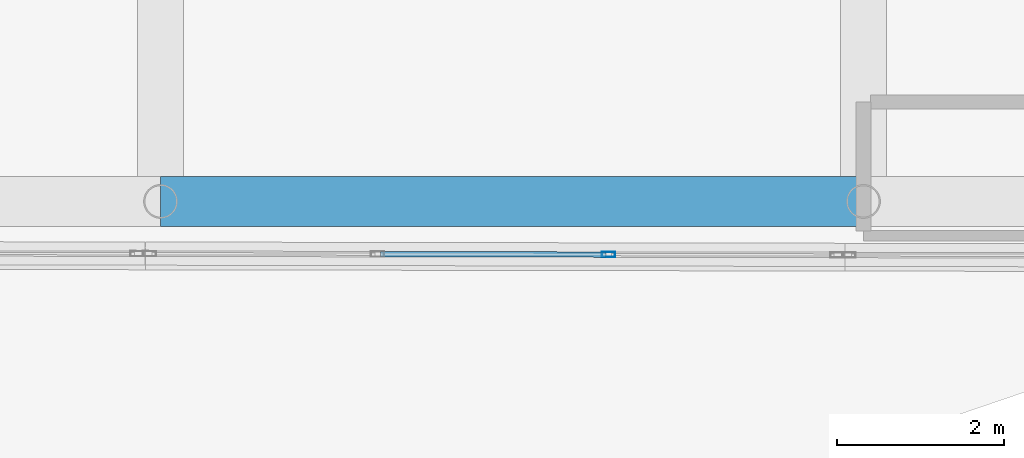
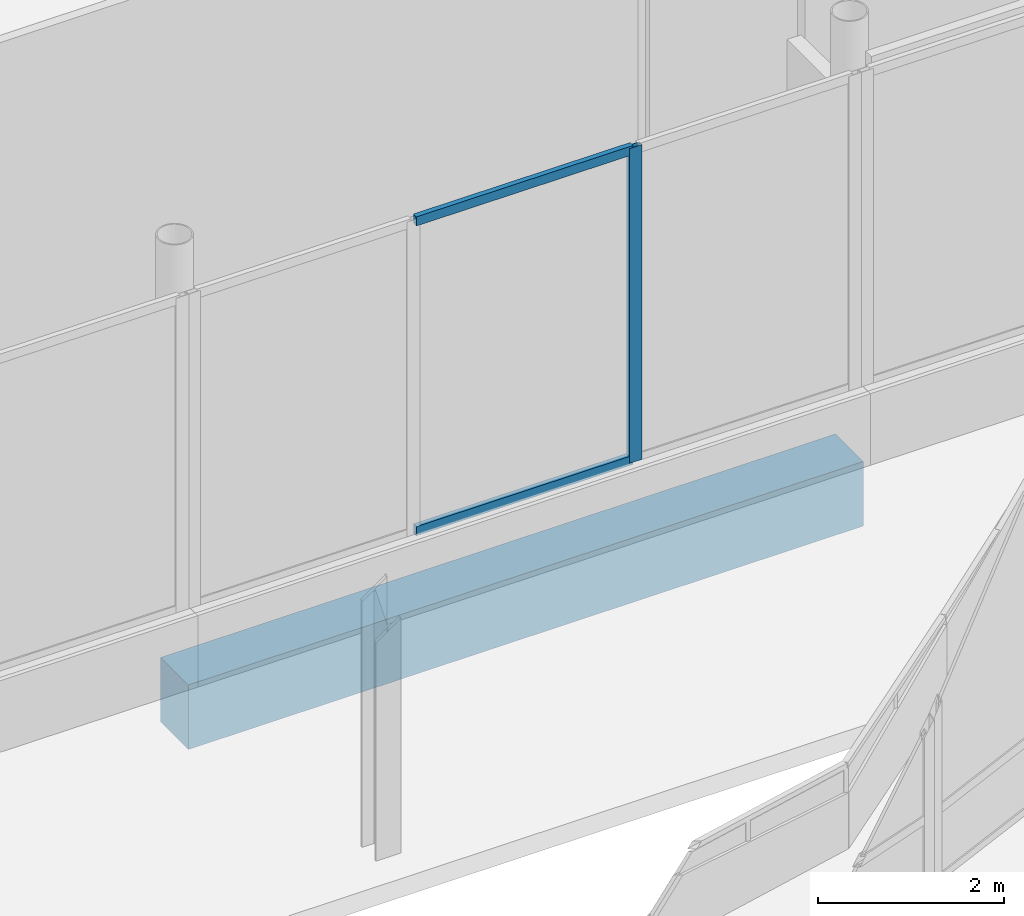
# One storey, part 41 of 158: 3 members, 1 beam, 1 element without a shape of its own.
"""IFC4 building model written with IfcOpenShell, lengths in metres."""

from ifc_helpers import new_model, si_unit, direction, frame, origin, origin_2d, place, context, subcontext, project, spatial, rectangle, hollow_rectangle, extrude, material, material_profile, profile_set, type_object, element, aggregate, save


model = new_model("IFC4")

# Units and contexts
model_context = context("Model", 3, precision=1e-05, world=origin(), true_north=direction((0.0, 1.0)))
body_context = subcontext(model_context, "Body", "Model", "MODEL_VIEW")
ifc_project = project(units=[si_unit("LENGTHUNIT", "METRE"), si_unit("AREAUNIT", "SQUARE_METRE"), si_unit("VOLUMEUNIT", "CUBIC_METRE"), si_unit("PLANEANGLEUNIT", "RADIAN"), si_unit("MASSUNIT", "GRAM", prefix="KILO")], contexts=[model_context])

# Site, building, storey
site_placement = place(None, origin())
site = spatial("IfcSite", under=ifc_project, at=site_placement, CompositionType="ELEMENT")
building_placement = place(site_placement, origin())
building = spatial("IfcBuilding", under=site, at=building_placement, Name="Selatvlak General Hospital", CompositionType="ELEMENT")
storey_placement = place(building_placement, origin())
storey = spatial("IfcBuildingStorey", under=building, at=storey_placement, Name="L00", CompositionType="ELEMENT", Elevation=0.0)

# Beam
ifc_material_1 = material(Name="Concrete C40/50", Category="concrete")
ifc_material_profile_1 = material_profile(ifc_material_1, rectangle(XDim=0.60009765625, YDim=0.85009765625, at=origin_2d()), Name="RC-BM 600x850")
ifc_profile_set_1 = profile_set([ifc_material_profile_1], Name="Concrete C40/50")
beam_type = type_object("IfcBeamType", Name="BM-G01", PredefinedType="BEAM", material=ifc_profile_set_1)
beam_placement = place(storey_placement, frame((64.800048828125, 52.550048828125, -0.77490234375), z_axis=(1.0, 0.0, 0.0), x_axis=(0.0, 1.0, 0.0)))
element("IfcBeam", 1, at=beam_placement, inside=storey, type_object=beam_type, Name="Beam BMR-L00-0008", PredefinedType="BEAM", context=body_context, shape_type="SweptSolid", body=[
    extrude(rectangle(XDim=0.60009765625, YDim=0.85009765625, at=origin_2d()), origin(), (0.0, 0.0, 1.0), 8.39990234375),
])

# Curtain wall, members
ifc_material_2 = material(Name="Solar-control Low-E double glazing", Category="glass")
curtain_wall_type = type_object("IfcCurtainWallType", Name="CW-CW-01", PredefinedType="USERDEFINED", material=ifc_material_2)
curtain_wall_placement = place(storey_placement, origin())
curtain_wall = element("IfcCurtainWall", 2, at=curtain_wall_placement, inside=storey, type_object=curtain_wall_type, Name="Glazed facade curtain wall CW-L00-0088", ObjectType="UNITISED CURTAIN WALL", PredefinedType="USERDEFINED")
ifc_material_3 = material(Name="Dark anodised aluminium mullion", Category="aluminium")
ifc_material_profile_2 = material_profile(ifc_material_3, hollow_rectangle(XDim=0.06494140625, YDim=0.159912109375, WallThickness=0.00390625, at=origin_2d()), Name="AL-MUL 65x160x4")
ifc_profile_set_2 = profile_set([ifc_material_profile_2], Name="Dark anodised aluminium mullion")
member_type_1 = type_object("IfcMemberType", Name="CWM-01", PredefinedType="MULLION", material=ifc_profile_set_2)
member_1_placement = place(storey_placement, frame((70.154296875, 51.9150390625, 0.93994140625), z_axis=(0.0, 0.0, 1.0), x_axis=(-0.001811153756, -0.99999835986, 0.0)))
member_1 = element("IfcMember", 3, at=member_1_placement, type_object=member_type_1, Name="CW-01 mullion 2", PredefinedType="MULLION", context=body_context, shape_type="SweptSolid", body=[
    extrude(hollow_rectangle(XDim=0.06494140625, YDim=0.159912109375, WallThickness=0.00390625, at=origin_2d()), origin(), (0.0, 0.0, 1.0), 4.14013671875),
])
ifc_material_profile_3 = material_profile(ifc_material_3, hollow_rectangle(XDim=0.06494140625, YDim=0.1201171875, WallThickness=0.00390625, at=origin_2d()), Name="AL-TRN 65x120x4")
ifc_profile_set_3 = profile_set([ifc_material_profile_3], Name="Dark anodised aluminium mullion")
member_type_2 = type_object("IfcMemberType", Name="CWT-01", PredefinedType="USERDEFINED", material=ifc_profile_set_3)
member_2_placement = place(storey_placement, frame((70.121826171875, 51.9150390625, 0.972412109375), z_axis=(-0.999998359364, 0.001811427152, 0.0), x_axis=(-0.001811427152, -0.999998359364, 0.0)))
member_2 = element("IfcMember", 4, at=member_2_placement, type_object=member_type_2, Name="CW-01 transom 2.1", ObjectType="TRANSOM", PredefinedType="USERDEFINED", context=body_context, shape_type="SweptSolid", body=[
    extrude(hollow_rectangle(XDim=0.06494140625, YDim=0.1201171875, WallThickness=0.00390625, at=origin_2d()), origin(), (0.0, 0.0, 1.0), 2.695556640625),
])
member_3_placement = place(storey_placement, frame((70.121826171875, 51.9150390625, 5.047607421875), z_axis=(-0.999998359364, 0.001811427152, 0.0), x_axis=(-0.001811427152, -0.999998359364, 0.0)))
member_3 = element("IfcMember", 5, at=member_3_placement, type_object=member_type_2, Name="CW-01 transom 2.2", ObjectType="TRANSOM", PredefinedType="USERDEFINED", context=body_context, shape_type="SweptSolid", body=[
    extrude(hollow_rectangle(XDim=0.06494140625, YDim=0.1201171875, WallThickness=0.00390625, at=origin_2d()), origin(), (0.0, 0.0, 1.0), 2.695556640625),
])
aggregate(curtain_wall, [member_1, member_2, member_3])

save(model, "model.ifc")
